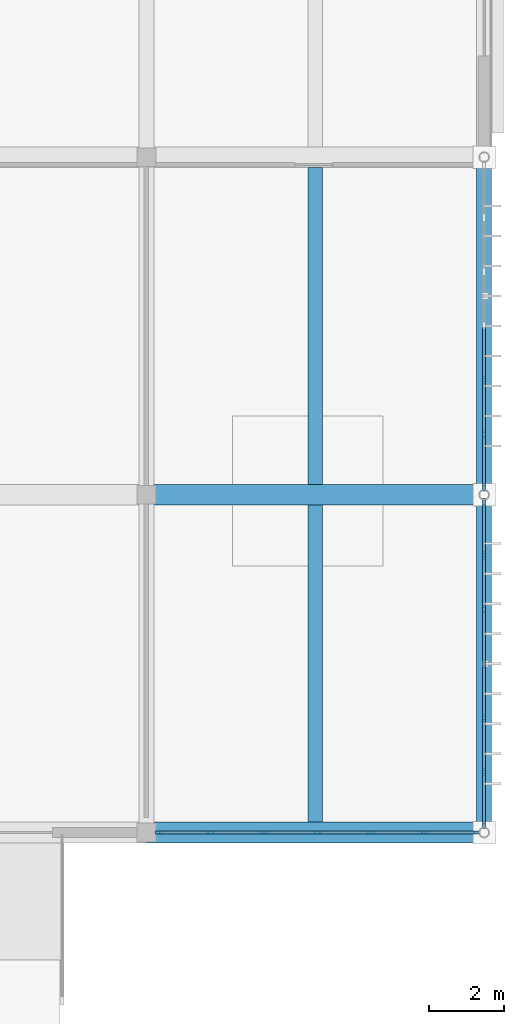
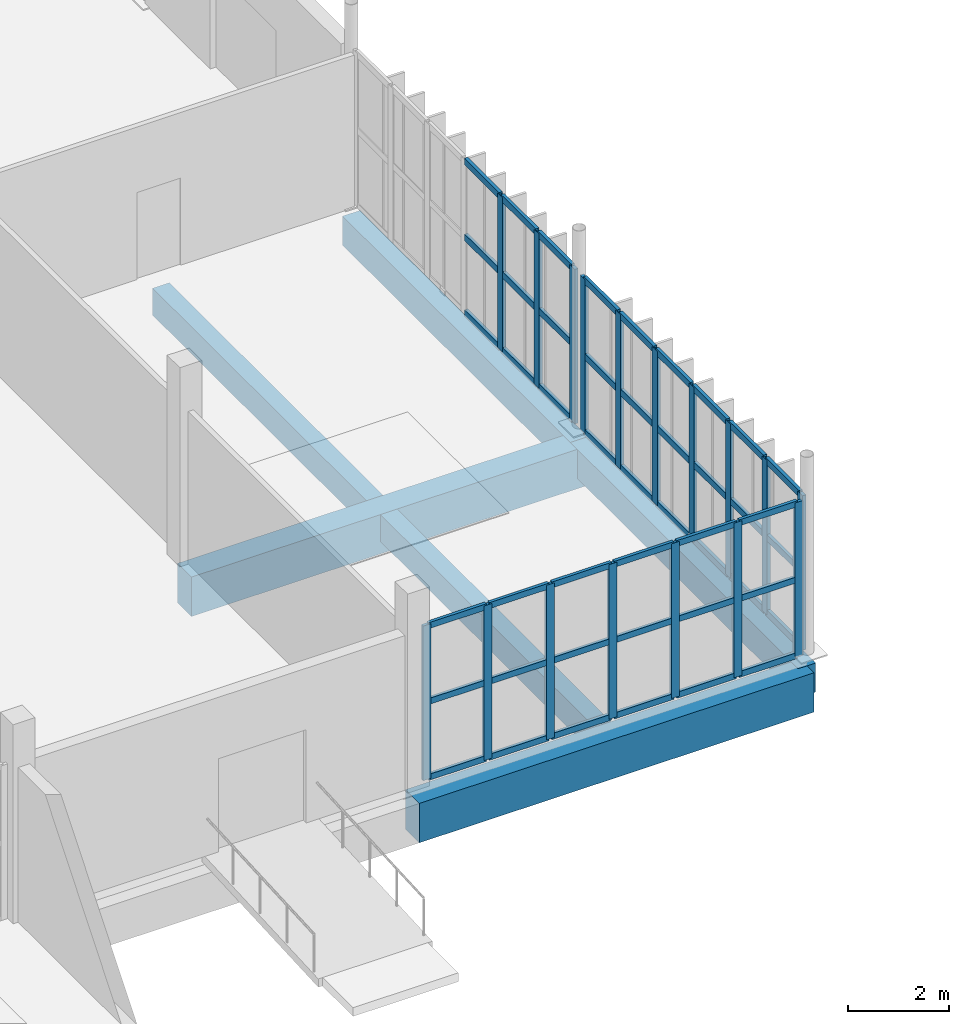
# One storey, part 27 of 72: 62 members, 6 beams, 3 elements without a shape of their own.
"""IFC4 building model written with IfcOpenShell, lengths in metres."""

from ifc_helpers import new_model, si_unit, direction, frame, origin, origin_2d, place, context, subcontext, project, spatial, rectangle, extrude, material, material_profile, profile_set, type_object, element, aggregate, save


model = new_model("IFC4")

# Units and contexts
model_context = context("Model", 3, precision=1e-05, world=origin(), true_north=direction((0.0, 1.0)))
body_context = subcontext(model_context, "Body", "Model", "MODEL_VIEW")
ifc_project = project(units=[si_unit("LENGTHUNIT", "METRE"), si_unit("AREAUNIT", "SQUARE_METRE"), si_unit("VOLUMEUNIT", "CUBIC_METRE"), si_unit("PLANEANGLEUNIT", "RADIAN"), si_unit("MASSUNIT", "GRAM", prefix="KILO")], contexts=[model_context])

# Site, building, storey
site_placement = place(None, origin())
site = spatial("IfcSite", under=ifc_project, at=site_placement, CompositionType="ELEMENT")
building_placement = place(site_placement, origin())
building = spatial("IfcBuilding", under=site, at=building_placement, Name="Vourika Railside Aquatics Centre", CompositionType="ELEMENT")
storey_placement = place(building_placement, origin())
storey = spatial("IfcBuildingStorey", under=building, at=storey_placement, Name="L00", CompositionType="ELEMENT", Elevation=0.0)

# Beams
ifc_material_1 = material(Name="Concrete C35/45", Category="concrete")
ifc_material_profile_1 = material_profile(ifc_material_1, rectangle(XDim=0.39990234375, YDim=0.699951171875, at=origin_2d()), Name="RC 400x700")
ifc_profile_set_1 = profile_set([ifc_material_profile_1], Name="Concrete C35/45")
beam_type_1 = type_object("IfcBeamType", Name="BM-GIRD-400x700", PredefinedType="BEAM", material=ifc_profile_set_1)
for number, where, z_axis, x_axis, name in (
    (1, (168.0, 40.0, -0.669921875), (0.0, 1.0, 0.0), (-1.0, 0.0, 0.0), "Floor Girder GY-L00-344"),
    (2, (168.0, 49.0, -0.669921875), (0.0, 1.0, 0.0), (-1.0, 0.0, 0.0), "Floor Girder GY-L00-345"),
):
    element("IfcBeam", number, at=place(storey_placement, frame(where, z_axis=z_axis, x_axis=x_axis)), inside=storey, type_object=beam_type_1, Name=name, PredefinedType="BEAM", context=body_context, shape_type="SweptSolid", body=[
        extrude(rectangle(XDim=0.39990234375, YDim=0.699951171875, at=origin_2d()), origin(), (0.0, 0.0, 1.0), 9.0),
    ])
ifc_material_2 = material(Name="Concrete C40/50", Category="concrete")
ifc_material_profile_2 = material_profile(ifc_material_2, rectangle(XDim=0.550048828125, YDim=0.949951171875, at=origin_2d()), Name="RC 550x950")
ifc_profile_set_2 = profile_set([ifc_material_profile_2], Name="Concrete C40/50")
beam_type_2 = type_object("IfcBeamType", Name="BM-GIRD-550x950", PredefinedType="BEAM", material=ifc_profile_set_2)
for number, where, z_axis, x_axis, name in (
    (3, (159.0, 40.0, -0.794921875), (1.0, 0.0, 0.0), (0.0, 1.0, 0.0), "Floor Beam GX-L00-056"),
    (4, (159.0, 49.0, -0.794921875), (1.0, 0.0, 0.0), (0.0, 1.0, 0.0), "Floor Beam GX-L00-073"),
):
    element("IfcBeam", number, at=place(storey_placement, frame(where, z_axis=z_axis, x_axis=x_axis)), inside=storey, type_object=beam_type_2, Name=name, PredefinedType="BEAM", context=body_context, shape_type="SweptSolid", body=[
        extrude(rectangle(XDim=0.550048828125, YDim=0.949951171875, at=origin_2d()), origin(), (0.0, 0.0, 1.0), 9.0),
    ])
ifc_material_profile_3 = material_profile(ifc_material_1, rectangle(XDim=0.3798828125, YDim=0.64990234375, at=origin_2d()), Name="RC 380x650")
ifc_profile_set_3 = profile_set([ifc_material_profile_3], Name="Concrete C35/45")
beam_type_3 = type_object("IfcBeamType", Name="BM-SEC-380x650", PredefinedType="JOIST", material=ifc_profile_set_3)
for number, where, z_axis, x_axis, name in (
    (5, (163.5, 40.27490234375, -0.64501953125), (0.0, 1.0, 0.0), (-1.0, 0.0, 0.0), "Secondary Joist JY-L00-383"),
    (6, (163.5, 49.27490234375, -0.64501953125), (0.0, 1.0, 0.0), (-1.0, 0.0, 0.0), "Secondary Joist JY-L00-399"),
):
    element("IfcBeam", number, at=place(storey_placement, frame(where, z_axis=z_axis, x_axis=x_axis)), inside=storey, type_object=beam_type_3, Name=name, PredefinedType="JOIST", context=body_context, shape_type="SweptSolid", body=[
        extrude(rectangle(XDim=0.3798828125, YDim=0.64990234375, at=origin_2d()), origin(), (0.0, 0.0, 1.0), 8.4501953125),
    ])

# Curtain wall, members
ifc_material_3 = material(Name="Anodized thermally broken aluminium", Category="aluminium")
curtain_wall_type_1 = type_object("IfcCurtainWallType", Name="CW-FOYE", PredefinedType="NOTDEFINED", material=ifc_material_3)
curtain_wall_1_placement = place(storey_placement, origin())
curtain_wall_1 = element("IfcCurtainWall", 7, at=curtain_wall_1_placement, inside=storey, type_object=curtain_wall_type_1, Name="East Arrival Facade Curtain Wall L00-1", PredefinedType="NOTDEFINED")
ifc_material_4 = material(Name="Anodized aluminium mullion", Category="aluminium")
ifc_material_profile_4 = material_profile(ifc_material_4, rectangle(XDim=0.074951171875, YDim=0.199951171875, at=origin_2d()), Name="ALU-M 75x200")
ifc_profile_set_4 = profile_set([ifc_material_profile_4], Name="Anodized aluminium mullion")
member_type_1 = type_object("IfcMemberType", Name="CWM-FOYE", PredefinedType="MULLION", material=ifc_profile_set_4)
member_1_placement = place(storey_placement, frame((168.0, 40.2041015625, 0.0), z_axis=(0.0, 0.0, 1.0), x_axis=(-1.0, 0.0, 0.0)))
member_1 = element("IfcMember", 8, at=member_1_placement, type_object=member_type_1, Name="CW10 mullion 1", PredefinedType="MULLION", context=body_context, shape_type="SweptSolid", body=[
    extrude(rectangle(XDim=0.074951171875, YDim=0.199951171875, at=origin_2d()), origin(), (0.0, 0.0, 1.0), 3.72998046875),
])
member_2_placement = place(storey_placement, frame((168.0, 41.611083984375, 0.0), z_axis=(0.0, 0.0, 1.0), x_axis=(-1.0, 0.0, 0.0)))
member_2 = element("IfcMember", 9, at=member_2_placement, type_object=member_type_1, Name="CW10 mullion 2", PredefinedType="MULLION", context=body_context, shape_type="SweptSolid", body=[
    extrude(rectangle(XDim=0.074951171875, YDim=0.199951171875, at=origin_2d()), origin(), (0.0, 0.0, 1.0), 3.72998046875),
])
member_3_placement = place(storey_placement, frame((168.0, 43.055419921875, 0.0), z_axis=(0.0, 0.0, 1.0), x_axis=(-1.0, 0.0, 0.0)))
member_3 = element("IfcMember", 10, at=member_3_placement, type_object=member_type_1, Name="CW10 mullion 3", PredefinedType="MULLION", context=body_context, shape_type="SweptSolid", body=[
    extrude(rectangle(XDim=0.074951171875, YDim=0.199951171875, at=origin_2d()), origin(), (0.0, 0.0, 1.0), 3.72998046875),
])
member_4_placement = place(storey_placement, frame((168.0, 44.5, 0.0), z_axis=(0.0, 0.0, 1.0), x_axis=(-1.0, 0.0, 0.0)))
member_4 = element("IfcMember", 11, at=member_4_placement, type_object=member_type_1, Name="CW10 mullion 4", PredefinedType="MULLION", context=body_context, shape_type="SweptSolid", body=[
    extrude(rectangle(XDim=0.074951171875, YDim=0.199951171875, at=origin_2d()), origin(), (0.0, 0.0, 1.0), 3.72998046875),
])
member_5_placement = place(storey_placement, frame((168.0, 45.944580078125, 0.0), z_axis=(0.0, 0.0, 1.0), x_axis=(-1.0, 0.0, 0.0)))
member_5 = element("IfcMember", 12, at=member_5_placement, type_object=member_type_1, Name="CW10 mullion 5", PredefinedType="MULLION", context=body_context, shape_type="SweptSolid", body=[
    extrude(rectangle(XDim=0.074951171875, YDim=0.199951171875, at=origin_2d()), origin(), (0.0, 0.0, 1.0), 3.72998046875),
])
member_6_placement = place(storey_placement, frame((168.0, 47.388916015625, 0.0), z_axis=(0.0, 0.0, 1.0), x_axis=(-1.0, 0.0, 0.0)))
member_6 = element("IfcMember", 13, at=member_6_placement, type_object=member_type_1, Name="CW10 mullion 6", PredefinedType="MULLION", context=body_context, shape_type="SweptSolid", body=[
    extrude(rectangle(XDim=0.074951171875, YDim=0.199951171875, at=origin_2d()), origin(), (0.0, 0.0, 1.0), 3.72998046875),
])
member_7_placement = place(storey_placement, frame((168.0, 48.7958984375, 0.0), z_axis=(0.0, 0.0, 1.0), x_axis=(-1.0, 0.0, 0.0)))
member_7 = element("IfcMember", 14, at=member_7_placement, type_object=member_type_1, Name="CW10 mullion 7", PredefinedType="MULLION", context=body_context, shape_type="SweptSolid", body=[
    extrude(rectangle(XDim=0.074951171875, YDim=0.199951171875, at=origin_2d()), origin(), (0.0, 0.0, 1.0), 3.72998046875),
])

curtain_wall_2_placement = place(storey_placement, origin())
curtain_wall_2 = element("IfcCurtainWall", 15, at=curtain_wall_2_placement, inside=storey, type_object=curtain_wall_type_1, Name="East Arrival Facade Curtain Wall L00-2", PredefinedType="NOTDEFINED")
member_8_placement = place(storey_placement, frame((168.0, 49.2041015625, 0.0), z_axis=(0.0, 0.0, 1.0), x_axis=(-1.0, 0.0, 0.0)))
member_8 = element("IfcMember", 16, at=member_8_placement, type_object=member_type_1, Name="CW10 mullion 1", PredefinedType="MULLION", context=body_context, shape_type="SweptSolid", body=[
    extrude(rectangle(XDim=0.074951171875, YDim=0.199951171875, at=origin_2d()), origin(), (0.0, 0.0, 1.0), 3.72998046875),
])
member_9_placement = place(storey_placement, frame((168.0, 50.611083984375, 0.0), z_axis=(0.0, 0.0, 1.0), x_axis=(-1.0, 0.0, 0.0)))
member_9 = element("IfcMember", 17, at=member_9_placement, type_object=member_type_1, Name="CW10 mullion 2", PredefinedType="MULLION", context=body_context, shape_type="SweptSolid", body=[
    extrude(rectangle(XDim=0.074951171875, YDim=0.199951171875, at=origin_2d()), origin(), (0.0, 0.0, 1.0), 3.72998046875),
])
member_10_placement = place(storey_placement, frame((168.0, 52.055419921875, 0.0), z_axis=(0.0, 0.0, 1.0), x_axis=(-1.0, 0.0, 0.0)))
member_10 = element("IfcMember", 18, at=member_10_placement, type_object=member_type_1, Name="CW10 mullion 3", PredefinedType="MULLION", context=body_context, shape_type="SweptSolid", body=[
    extrude(rectangle(XDim=0.074951171875, YDim=0.199951171875, at=origin_2d()), origin(), (0.0, 0.0, 1.0), 3.72998046875),
])

curtain_wall_type_2 = type_object("IfcCurtainWallType", Name="CW-FOYS", PredefinedType="NOTDEFINED", material=ifc_material_3)
curtain_wall_3_placement = place(storey_placement, origin())
curtain_wall_3 = element("IfcCurtainWall", 19, at=curtain_wall_3_placement, inside=storey, type_object=curtain_wall_type_2, Name="Foyer South Glazed Facade L00-3", PredefinedType="NOTDEFINED")
ifc_material_profile_5 = material_profile(ifc_material_4, rectangle(XDim=0.072021484375, YDim=0.181884765625, at=origin_2d()), Name="ALU-M 72x182")
ifc_profile_set_5 = profile_set([ifc_material_profile_5], Name="Anodized aluminium mullion")
member_type_2 = type_object("IfcMemberType", Name="CWM-FOYS", PredefinedType="MULLION", material=ifc_profile_set_5)
member_11_placement = place(storey_placement, frame((159.31591796875, 40.0, 0.0), z_axis=(0.0, 0.0, 1.0), x_axis=(0.0, 1.0, 0.0)))
member_11 = element("IfcMember", 20, at=member_11_placement, type_object=member_type_2, Name="CW11 mullion 1", PredefinedType="MULLION", context=body_context, shape_type="SweptSolid", body=[
    extrude(rectangle(XDim=0.072021484375, YDim=0.181884765625, at=origin_2d()), origin(), (0.0, 0.0, 1.0), 3.72998046875),
])
member_12_placement = place(storey_placement, frame((160.70556640625, 40.0, 0.0), z_axis=(0.0, 0.0, 1.0), x_axis=(0.0, 1.0, 0.0)))
member_12 = element("IfcMember", 21, at=member_12_placement, type_object=member_type_2, Name="CW11 mullion 2", PredefinedType="MULLION", context=body_context, shape_type="SweptSolid", body=[
    extrude(rectangle(XDim=0.072021484375, YDim=0.181884765625, at=origin_2d()), origin(), (0.0, 0.0, 1.0), 3.72998046875),
])
member_13_placement = place(storey_placement, frame((162.131103515625, 40.0, 0.0), z_axis=(0.0, 0.0, 1.0), x_axis=(0.0, 1.0, 0.0)))
member_13 = element("IfcMember", 22, at=member_13_placement, type_object=member_type_2, Name="CW11 mullion 3", PredefinedType="MULLION", context=body_context, shape_type="SweptSolid", body=[
    extrude(rectangle(XDim=0.072021484375, YDim=0.181884765625, at=origin_2d()), origin(), (0.0, 0.0, 1.0), 3.72998046875),
])
member_14_placement = place(storey_placement, frame((163.556640625, 40.0, 0.0), z_axis=(0.0, 0.0, 1.0), x_axis=(0.0, 1.0, 0.0)))
member_14 = element("IfcMember", 23, at=member_14_placement, type_object=member_type_2, Name="CW11 mullion 4", PredefinedType="MULLION", context=body_context, shape_type="SweptSolid", body=[
    extrude(rectangle(XDim=0.072021484375, YDim=0.181884765625, at=origin_2d()), origin(), (0.0, 0.0, 1.0), 3.72998046875),
])
member_15_placement = place(storey_placement, frame((164.982421875, 40.0, 0.0), z_axis=(0.0, 0.0, 1.0), x_axis=(0.0, 1.0, 0.0)))
member_15 = element("IfcMember", 24, at=member_15_placement, type_object=member_type_2, Name="CW11 mullion 5", PredefinedType="MULLION", context=body_context, shape_type="SweptSolid", body=[
    extrude(rectangle(XDim=0.072021484375, YDim=0.181884765625, at=origin_2d()), origin(), (0.0, 0.0, 1.0), 3.72998046875),
])
member_16_placement = place(storey_placement, frame((166.407958984375, 40.0, 0.0), z_axis=(0.0, 0.0, 1.0), x_axis=(0.0, 1.0, 0.0)))
member_16 = element("IfcMember", 25, at=member_16_placement, type_object=member_type_2, Name="CW11 mullion 6", PredefinedType="MULLION", context=body_context, shape_type="SweptSolid", body=[
    extrude(rectangle(XDim=0.072021484375, YDim=0.181884765625, at=origin_2d()), origin(), (0.0, 0.0, 1.0), 3.72998046875),
])
member_17_placement = place(storey_placement, frame((167.797607421875, 40.0, 0.0), z_axis=(0.0, 0.0, 1.0), x_axis=(0.0, 1.0, 0.0)))
member_17 = element("IfcMember", 26, at=member_17_placement, type_object=member_type_2, Name="CW11 mullion 7", PredefinedType="MULLION", context=body_context, shape_type="SweptSolid", body=[
    extrude(rectangle(XDim=0.072021484375, YDim=0.181884765625, at=origin_2d()), origin(), (0.0, 0.0, 1.0), 3.72998046875),
])

# Member
ifc_material_5 = material(Name="Anodized aluminium transom", Category="aluminium")
ifc_material_profile_6 = material_profile(ifc_material_5, rectangle(XDim=0.074951171875, YDim=0.157958984375, at=origin_2d()), Name="ALU-T 75x158")
ifc_profile_set_6 = profile_set([ifc_material_profile_6], Name="Anodized aluminium transom")
member_type_3 = type_object("IfcMemberType", Name="CWT-FOYE", PredefinedType="USERDEFINED", material=ifc_profile_set_6)
member_18_placement = place(storey_placement, frame((168.0, 40.241455078125, 0.03759765625), z_axis=(0.0, 1.0, 0.0), x_axis=(-1.0, 0.0, 0.0)))
member_18 = element("IfcMember", 27, at=member_18_placement, type_object=member_type_3, Name="CW10 transom 1.1", ObjectType="TRANSOM", PredefinedType="USERDEFINED", context=body_context, shape_type="SweptSolid", body=[
    extrude(rectangle(XDim=0.074951171875, YDim=0.157958984375, at=origin_2d()), origin(), (0.0, 0.0, 1.0), 1.33203125),
])

member_19_placement = place(storey_placement, frame((168.0, 40.241455078125, 1.864990234375), z_axis=(0.0, 1.0, 0.0), x_axis=(-1.0, 0.0, 0.0)))
member_19 = element("IfcMember", 28, at=member_19_placement, type_object=member_type_3, Name="CW10 transom 1.2", ObjectType="TRANSOM", PredefinedType="USERDEFINED", context=body_context, shape_type="SweptSolid", body=[
    extrude(rectangle(XDim=0.074951171875, YDim=0.157958984375, at=origin_2d()), origin(), (0.0, 0.0, 1.0), 1.33203125),
])

member_20_placement = place(storey_placement, frame((168.0, 40.241455078125, 3.6923828125), z_axis=(0.0, 1.0, 0.0), x_axis=(-1.0, 0.0, 0.0)))
member_20 = element("IfcMember", 29, at=member_20_placement, type_object=member_type_3, Name="CW10 transom 1.3", ObjectType="TRANSOM", PredefinedType="USERDEFINED", context=body_context, shape_type="SweptSolid", body=[
    extrude(rectangle(XDim=0.074951171875, YDim=0.157958984375, at=origin_2d()), origin(), (0.0, 0.0, 1.0), 1.33203125),
])

member_21_placement = place(storey_placement, frame((168.0, 41.6484375, 0.03759765625), z_axis=(0.0, 1.0, 0.0), x_axis=(-1.0, 0.0, 0.0)))
member_21 = element("IfcMember", 30, at=member_21_placement, type_object=member_type_3, Name="CW10 transom 2.1", ObjectType="TRANSOM", PredefinedType="USERDEFINED", context=body_context, shape_type="SweptSolid", body=[
    extrude(rectangle(XDim=0.074951171875, YDim=0.157958984375, at=origin_2d()), origin(), (0.0, 0.0, 1.0), 1.36962890625),
])

member_22_placement = place(storey_placement, frame((168.0, 41.6484375, 1.864990234375), z_axis=(0.0, 1.0, 0.0), x_axis=(-1.0, 0.0, 0.0)))
member_22 = element("IfcMember", 31, at=member_22_placement, type_object=member_type_3, Name="CW10 transom 2.2", ObjectType="TRANSOM", PredefinedType="USERDEFINED", context=body_context, shape_type="SweptSolid", body=[
    extrude(rectangle(XDim=0.074951171875, YDim=0.157958984375, at=origin_2d()), origin(), (0.0, 0.0, 1.0), 1.36962890625),
])

member_23_placement = place(storey_placement, frame((168.0, 41.6484375, 3.6923828125), z_axis=(0.0, 1.0, 0.0), x_axis=(-1.0, 0.0, 0.0)))
member_23 = element("IfcMember", 32, at=member_23_placement, type_object=member_type_3, Name="CW10 transom 2.3", ObjectType="TRANSOM", PredefinedType="USERDEFINED", context=body_context, shape_type="SweptSolid", body=[
    extrude(rectangle(XDim=0.074951171875, YDim=0.157958984375, at=origin_2d()), origin(), (0.0, 0.0, 1.0), 1.36962890625),
])

member_24_placement = place(storey_placement, frame((168.0, 43.093017578125, 0.03759765625), z_axis=(0.0, 1.0, 0.0), x_axis=(-1.0, 0.0, 0.0)))
member_24 = element("IfcMember", 33, at=member_24_placement, type_object=member_type_3, Name="CW10 transom 3.1", ObjectType="TRANSOM", PredefinedType="USERDEFINED", context=body_context, shape_type="SweptSolid", body=[
    extrude(rectangle(XDim=0.074951171875, YDim=0.157958984375, at=origin_2d()), origin(), (0.0, 0.0, 1.0), 1.369384765625),
])

member_25_placement = place(storey_placement, frame((168.0, 43.093017578125, 1.864990234375), z_axis=(0.0, 1.0, 0.0), x_axis=(-1.0, 0.0, 0.0)))
member_25 = element("IfcMember", 34, at=member_25_placement, type_object=member_type_3, Name="CW10 transom 3.2", ObjectType="TRANSOM", PredefinedType="USERDEFINED", context=body_context, shape_type="SweptSolid", body=[
    extrude(rectangle(XDim=0.074951171875, YDim=0.157958984375, at=origin_2d()), origin(), (0.0, 0.0, 1.0), 1.369384765625),
])

member_26_placement = place(storey_placement, frame((168.0, 43.093017578125, 3.6923828125), z_axis=(0.0, 1.0, 0.0), x_axis=(-1.0, 0.0, 0.0)))
member_26 = element("IfcMember", 35, at=member_26_placement, type_object=member_type_3, Name="CW10 transom 3.3", ObjectType="TRANSOM", PredefinedType="USERDEFINED", context=body_context, shape_type="SweptSolid", body=[
    extrude(rectangle(XDim=0.074951171875, YDim=0.157958984375, at=origin_2d()), origin(), (0.0, 0.0, 1.0), 1.369384765625),
])

member_27_placement = place(storey_placement, frame((168.0, 44.53759765625, 0.03759765625), z_axis=(0.0, 1.0, 0.0), x_axis=(-1.0, 0.0, 0.0)))
member_27 = element("IfcMember", 36, at=member_27_placement, type_object=member_type_3, Name="CW10 transom 4.1", ObjectType="TRANSOM", PredefinedType="USERDEFINED", context=body_context, shape_type="SweptSolid", body=[
    extrude(rectangle(XDim=0.074951171875, YDim=0.157958984375, at=origin_2d()), origin(), (0.0, 0.0, 1.0), 1.369384765625),
])

member_28_placement = place(storey_placement, frame((168.0, 44.53759765625, 1.864990234375), z_axis=(0.0, 1.0, 0.0), x_axis=(-1.0, 0.0, 0.0)))
member_28 = element("IfcMember", 37, at=member_28_placement, type_object=member_type_3, Name="CW10 transom 4.2", ObjectType="TRANSOM", PredefinedType="USERDEFINED", context=body_context, shape_type="SweptSolid", body=[
    extrude(rectangle(XDim=0.074951171875, YDim=0.157958984375, at=origin_2d()), origin(), (0.0, 0.0, 1.0), 1.369384765625),
])

member_29_placement = place(storey_placement, frame((168.0, 44.53759765625, 3.6923828125), z_axis=(0.0, 1.0, 0.0), x_axis=(-1.0, 0.0, 0.0)))
member_29 = element("IfcMember", 38, at=member_29_placement, type_object=member_type_3, Name="CW10 transom 4.3", ObjectType="TRANSOM", PredefinedType="USERDEFINED", context=body_context, shape_type="SweptSolid", body=[
    extrude(rectangle(XDim=0.074951171875, YDim=0.157958984375, at=origin_2d()), origin(), (0.0, 0.0, 1.0), 1.369384765625),
])

member_30_placement = place(storey_placement, frame((168.0, 45.98193359375, 0.03759765625), z_axis=(0.0, 1.0, 0.0), x_axis=(-1.0, 0.0, 0.0)))
member_30 = element("IfcMember", 39, at=member_30_placement, type_object=member_type_3, Name="CW10 transom 5.1", ObjectType="TRANSOM", PredefinedType="USERDEFINED", context=body_context, shape_type="SweptSolid", body=[
    extrude(rectangle(XDim=0.074951171875, YDim=0.157958984375, at=origin_2d()), origin(), (0.0, 0.0, 1.0), 1.36962890625),
])

member_31_placement = place(storey_placement, frame((168.0, 45.98193359375, 1.864990234375), z_axis=(0.0, 1.0, 0.0), x_axis=(-1.0, 0.0, 0.0)))
member_31 = element("IfcMember", 40, at=member_31_placement, type_object=member_type_3, Name="CW10 transom 5.2", ObjectType="TRANSOM", PredefinedType="USERDEFINED", context=body_context, shape_type="SweptSolid", body=[
    extrude(rectangle(XDim=0.074951171875, YDim=0.157958984375, at=origin_2d()), origin(), (0.0, 0.0, 1.0), 1.36962890625),
])

member_32_placement = place(storey_placement, frame((168.0, 45.98193359375, 3.6923828125), z_axis=(0.0, 1.0, 0.0), x_axis=(-1.0, 0.0, 0.0)))
member_32 = element("IfcMember", 41, at=member_32_placement, type_object=member_type_3, Name="CW10 transom 5.3", ObjectType="TRANSOM", PredefinedType="USERDEFINED", context=body_context, shape_type="SweptSolid", body=[
    extrude(rectangle(XDim=0.074951171875, YDim=0.157958984375, at=origin_2d()), origin(), (0.0, 0.0, 1.0), 1.36962890625),
])

member_33_placement = place(storey_placement, frame((168.0, 47.426513671875, 0.03759765625), z_axis=(0.0, 1.0, 0.0), x_axis=(-1.0, 0.0, 0.0)))
member_33 = element("IfcMember", 42, at=member_33_placement, type_object=member_type_3, Name="CW10 transom 6.1", ObjectType="TRANSOM", PredefinedType="USERDEFINED", context=body_context, shape_type="SweptSolid", body=[
    extrude(rectangle(XDim=0.074951171875, YDim=0.157958984375, at=origin_2d()), origin(), (0.0, 0.0, 1.0), 1.33203125),
])

member_34_placement = place(storey_placement, frame((168.0, 47.426513671875, 1.864990234375), z_axis=(0.0, 1.0, 0.0), x_axis=(-1.0, 0.0, 0.0)))
member_34 = element("IfcMember", 43, at=member_34_placement, type_object=member_type_3, Name="CW10 transom 6.2", ObjectType="TRANSOM", PredefinedType="USERDEFINED", context=body_context, shape_type="SweptSolid", body=[
    extrude(rectangle(XDim=0.074951171875, YDim=0.157958984375, at=origin_2d()), origin(), (0.0, 0.0, 1.0), 1.33203125),
])

member_35_placement = place(storey_placement, frame((168.0, 47.426513671875, 3.6923828125), z_axis=(0.0, 1.0, 0.0), x_axis=(-1.0, 0.0, 0.0)))
member_35 = element("IfcMember", 44, at=member_35_placement, type_object=member_type_3, Name="CW10 transom 6.3", ObjectType="TRANSOM", PredefinedType="USERDEFINED", context=body_context, shape_type="SweptSolid", body=[
    extrude(rectangle(XDim=0.074951171875, YDim=0.157958984375, at=origin_2d()), origin(), (0.0, 0.0, 1.0), 1.33203125),
])

aggregate(curtain_wall_1, [member_1, member_2, member_3, member_4, member_5, member_6, member_7, member_18, member_19, member_20, member_21, member_22, member_23, member_24, member_25, member_26, member_27, member_28, member_29, member_30, member_31, member_32, member_33, member_34, member_35])

member_36_placement = place(storey_placement, frame((168.0, 49.241455078125, 0.03759765625), z_axis=(0.0, 1.0, 0.0), x_axis=(-1.0, 0.0, 0.0)))
member_36 = element("IfcMember", 45, at=member_36_placement, type_object=member_type_3, Name="CW10 transom 1.1", ObjectType="TRANSOM", PredefinedType="USERDEFINED", context=body_context, shape_type="SweptSolid", body=[
    extrude(rectangle(XDim=0.074951171875, YDim=0.157958984375, at=origin_2d()), origin(), (0.0, 0.0, 1.0), 1.33203125),
])

member_37_placement = place(storey_placement, frame((168.0, 49.241455078125, 1.864990234375), z_axis=(0.0, 1.0, 0.0), x_axis=(-1.0, 0.0, 0.0)))
member_37 = element("IfcMember", 46, at=member_37_placement, type_object=member_type_3, Name="CW10 transom 1.2", ObjectType="TRANSOM", PredefinedType="USERDEFINED", context=body_context, shape_type="SweptSolid", body=[
    extrude(rectangle(XDim=0.074951171875, YDim=0.157958984375, at=origin_2d()), origin(), (0.0, 0.0, 1.0), 1.33203125),
])

member_38_placement = place(storey_placement, frame((168.0, 49.241455078125, 3.6923828125), z_axis=(0.0, 1.0, 0.0), x_axis=(-1.0, 0.0, 0.0)))
member_38 = element("IfcMember", 47, at=member_38_placement, type_object=member_type_3, Name="CW10 transom 1.3", ObjectType="TRANSOM", PredefinedType="USERDEFINED", context=body_context, shape_type="SweptSolid", body=[
    extrude(rectangle(XDim=0.074951171875, YDim=0.157958984375, at=origin_2d()), origin(), (0.0, 0.0, 1.0), 1.33203125),
])

member_39_placement = place(storey_placement, frame((168.0, 50.6484375, 0.03759765625), z_axis=(0.0, 1.0, 0.0), x_axis=(-1.0, 0.0, 0.0)))
member_39 = element("IfcMember", 48, at=member_39_placement, type_object=member_type_3, Name="CW10 transom 2.1", ObjectType="TRANSOM", PredefinedType="USERDEFINED", context=body_context, shape_type="SweptSolid", body=[
    extrude(rectangle(XDim=0.074951171875, YDim=0.157958984375, at=origin_2d()), origin(), (0.0, 0.0, 1.0), 1.36962890625),
])

member_40_placement = place(storey_placement, frame((168.0, 50.6484375, 1.864990234375), z_axis=(0.0, 1.0, 0.0), x_axis=(-1.0, 0.0, 0.0)))
member_40 = element("IfcMember", 49, at=member_40_placement, type_object=member_type_3, Name="CW10 transom 2.2", ObjectType="TRANSOM", PredefinedType="USERDEFINED", context=body_context, shape_type="SweptSolid", body=[
    extrude(rectangle(XDim=0.074951171875, YDim=0.157958984375, at=origin_2d()), origin(), (0.0, 0.0, 1.0), 1.36962890625),
])

member_41_placement = place(storey_placement, frame((168.0, 50.6484375, 3.6923828125), z_axis=(0.0, 1.0, 0.0), x_axis=(-1.0, 0.0, 0.0)))
member_41 = element("IfcMember", 50, at=member_41_placement, type_object=member_type_3, Name="CW10 transom 2.3", ObjectType="TRANSOM", PredefinedType="USERDEFINED", context=body_context, shape_type="SweptSolid", body=[
    extrude(rectangle(XDim=0.074951171875, YDim=0.157958984375, at=origin_2d()), origin(), (0.0, 0.0, 1.0), 1.36962890625),
])

member_42_placement = place(storey_placement, frame((168.0, 52.093017578125, 0.03759765625), z_axis=(0.0, 1.0, 0.0), x_axis=(-1.0, 0.0, 0.0)))
member_42 = element("IfcMember", 51, at=member_42_placement, type_object=member_type_3, Name="CW10 transom 3.1", ObjectType="TRANSOM", PredefinedType="USERDEFINED", context=body_context, shape_type="SweptSolid", body=[
    extrude(rectangle(XDim=0.074951171875, YDim=0.157958984375, at=origin_2d()), origin(), (0.0, 0.0, 1.0), 1.369384765625),
])

member_43_placement = place(storey_placement, frame((168.0, 52.093017578125, 1.864990234375), z_axis=(0.0, 1.0, 0.0), x_axis=(-1.0, 0.0, 0.0)))
member_43 = element("IfcMember", 52, at=member_43_placement, type_object=member_type_3, Name="CW10 transom 3.2", ObjectType="TRANSOM", PredefinedType="USERDEFINED", context=body_context, shape_type="SweptSolid", body=[
    extrude(rectangle(XDim=0.074951171875, YDim=0.157958984375, at=origin_2d()), origin(), (0.0, 0.0, 1.0), 1.369384765625),
])

member_44_placement = place(storey_placement, frame((168.0, 52.093017578125, 3.6923828125), z_axis=(0.0, 1.0, 0.0), x_axis=(-1.0, 0.0, 0.0)))
member_44 = element("IfcMember", 53, at=member_44_placement, type_object=member_type_3, Name="CW10 transom 3.3", ObjectType="TRANSOM", PredefinedType="USERDEFINED", context=body_context, shape_type="SweptSolid", body=[
    extrude(rectangle(XDim=0.074951171875, YDim=0.157958984375, at=origin_2d()), origin(), (0.0, 0.0, 1.0), 1.369384765625),
])

aggregate(curtain_wall_2, [member_8, member_9, member_10, member_36, member_37, member_38, member_39, member_40, member_41, member_42, member_43, member_44])

ifc_material_profile_7 = material_profile(ifc_material_5, rectangle(XDim=0.072021484375, YDim=0.14404296875, at=origin_2d()), Name="ALU-T 72x144")
ifc_profile_set_7 = profile_set([ifc_material_profile_7], Name="Anodized aluminium transom")
member_type_4 = type_object("IfcMemberType", Name="CWT-FOYS", PredefinedType="USERDEFINED", material=ifc_profile_set_7)
member_45_placement = place(storey_placement, frame((159.35205078125, 40.0, 0.035888671875), z_axis=(1.0, 0.0, 0.0), x_axis=(0.0, 1.0, 0.0)))
member_45 = element("IfcMember", 54, at=member_45_placement, type_object=member_type_4, Name="CW11 transom 1.1", ObjectType="TRANSOM", PredefinedType="USERDEFINED", context=body_context, shape_type="SweptSolid", body=[
    extrude(rectangle(XDim=0.072021484375, YDim=0.14404296875, at=origin_2d()), origin(), (0.0, 0.0, 1.0), 1.317626953125),
])

member_46_placement = place(storey_placement, frame((159.35205078125, 40.0, 1.864990234375), z_axis=(1.0, 0.0, 0.0), x_axis=(0.0, 1.0, 0.0)))
member_46 = element("IfcMember", 55, at=member_46_placement, type_object=member_type_4, Name="CW11 transom 1.2", ObjectType="TRANSOM", PredefinedType="USERDEFINED", context=body_context, shape_type="SweptSolid", body=[
    extrude(rectangle(XDim=0.072021484375, YDim=0.14404296875, at=origin_2d()), origin(), (0.0, 0.0, 1.0), 1.317626953125),
])

member_47_placement = place(storey_placement, frame((159.35205078125, 40.0, 3.694091796875), z_axis=(1.0, 0.0, 0.0), x_axis=(0.0, 1.0, 0.0)))
member_47 = element("IfcMember", 56, at=member_47_placement, type_object=member_type_4, Name="CW11 transom 1.3", ObjectType="TRANSOM", PredefinedType="USERDEFINED", context=body_context, shape_type="SweptSolid", body=[
    extrude(rectangle(XDim=0.072021484375, YDim=0.14404296875, at=origin_2d()), origin(), (0.0, 0.0, 1.0), 1.317626953125),
])

member_48_placement = place(storey_placement, frame((160.74169921875, 40.0, 0.035888671875), z_axis=(1.0, 0.0, 0.0), x_axis=(0.0, 1.0, 0.0)))
member_48 = element("IfcMember", 57, at=member_48_placement, type_object=member_type_4, Name="CW11 transom 2.1", ObjectType="TRANSOM", PredefinedType="USERDEFINED", context=body_context, shape_type="SweptSolid", body=[
    extrude(rectangle(XDim=0.072021484375, YDim=0.14404296875, at=origin_2d()), origin(), (0.0, 0.0, 1.0), 1.353515625),
])

member_49_placement = place(storey_placement, frame((160.74169921875, 40.0, 1.864990234375), z_axis=(1.0, 0.0, 0.0), x_axis=(0.0, 1.0, 0.0)))
member_49 = element("IfcMember", 58, at=member_49_placement, type_object=member_type_4, Name="CW11 transom 2.2", ObjectType="TRANSOM", PredefinedType="USERDEFINED", context=body_context, shape_type="SweptSolid", body=[
    extrude(rectangle(XDim=0.072021484375, YDim=0.14404296875, at=origin_2d()), origin(), (0.0, 0.0, 1.0), 1.353515625),
])

member_50_placement = place(storey_placement, frame((160.74169921875, 40.0, 3.694091796875), z_axis=(1.0, 0.0, 0.0), x_axis=(0.0, 1.0, 0.0)))
member_50 = element("IfcMember", 59, at=member_50_placement, type_object=member_type_4, Name="CW11 transom 2.3", ObjectType="TRANSOM", PredefinedType="USERDEFINED", context=body_context, shape_type="SweptSolid", body=[
    extrude(rectangle(XDim=0.072021484375, YDim=0.14404296875, at=origin_2d()), origin(), (0.0, 0.0, 1.0), 1.353515625),
])

member_51_placement = place(storey_placement, frame((162.167236328125, 40.0, 0.035888671875), z_axis=(1.0, 0.0, 0.0), x_axis=(0.0, 1.0, 0.0)))
member_51 = element("IfcMember", 60, at=member_51_placement, type_object=member_type_4, Name="CW11 transom 3.1", ObjectType="TRANSOM", PredefinedType="USERDEFINED", context=body_context, shape_type="SweptSolid", body=[
    extrude(rectangle(XDim=0.072021484375, YDim=0.14404296875, at=origin_2d()), origin(), (0.0, 0.0, 1.0), 1.353515625),
])

member_52_placement = place(storey_placement, frame((162.167236328125, 40.0, 1.864990234375), z_axis=(1.0, 0.0, 0.0), x_axis=(0.0, 1.0, 0.0)))
member_52 = element("IfcMember", 61, at=member_52_placement, type_object=member_type_4, Name="CW11 transom 3.2", ObjectType="TRANSOM", PredefinedType="USERDEFINED", context=body_context, shape_type="SweptSolid", body=[
    extrude(rectangle(XDim=0.072021484375, YDim=0.14404296875, at=origin_2d()), origin(), (0.0, 0.0, 1.0), 1.353515625),
])

member_53_placement = place(storey_placement, frame((162.167236328125, 40.0, 3.694091796875), z_axis=(1.0, 0.0, 0.0), x_axis=(0.0, 1.0, 0.0)))
member_53 = element("IfcMember", 62, at=member_53_placement, type_object=member_type_4, Name="CW11 transom 3.3", ObjectType="TRANSOM", PredefinedType="USERDEFINED", context=body_context, shape_type="SweptSolid", body=[
    extrude(rectangle(XDim=0.072021484375, YDim=0.14404296875, at=origin_2d()), origin(), (0.0, 0.0, 1.0), 1.353515625),
])

member_54_placement = place(storey_placement, frame((163.5927734375, 40.0, 0.035888671875), z_axis=(1.0, 0.0, 0.0), x_axis=(0.0, 1.0, 0.0)))
member_54 = element("IfcMember", 63, at=member_54_placement, type_object=member_type_4, Name="CW11 transom 4.1", ObjectType="TRANSOM", PredefinedType="USERDEFINED", context=body_context, shape_type="SweptSolid", body=[
    extrude(rectangle(XDim=0.072021484375, YDim=0.14404296875, at=origin_2d()), origin(), (0.0, 0.0, 1.0), 1.353515625),
])

member_55_placement = place(storey_placement, frame((163.5927734375, 40.0, 1.864990234375), z_axis=(1.0, 0.0, 0.0), x_axis=(0.0, 1.0, 0.0)))
member_55 = element("IfcMember", 64, at=member_55_placement, type_object=member_type_4, Name="CW11 transom 4.2", ObjectType="TRANSOM", PredefinedType="USERDEFINED", context=body_context, shape_type="SweptSolid", body=[
    extrude(rectangle(XDim=0.072021484375, YDim=0.14404296875, at=origin_2d()), origin(), (0.0, 0.0, 1.0), 1.353515625),
])

member_56_placement = place(storey_placement, frame((163.5927734375, 40.0, 3.694091796875), z_axis=(1.0, 0.0, 0.0), x_axis=(0.0, 1.0, 0.0)))
member_56 = element("IfcMember", 65, at=member_56_placement, type_object=member_type_4, Name="CW11 transom 4.3", ObjectType="TRANSOM", PredefinedType="USERDEFINED", context=body_context, shape_type="SweptSolid", body=[
    extrude(rectangle(XDim=0.072021484375, YDim=0.14404296875, at=origin_2d()), origin(), (0.0, 0.0, 1.0), 1.353515625),
])

member_57_placement = place(storey_placement, frame((165.018310546875, 40.0, 0.035888671875), z_axis=(1.0, 0.0, 0.0), x_axis=(0.0, 1.0, 0.0)))
member_57 = element("IfcMember", 66, at=member_57_placement, type_object=member_type_4, Name="CW11 transom 5.1", ObjectType="TRANSOM", PredefinedType="USERDEFINED", context=body_context, shape_type="SweptSolid", body=[
    extrude(rectangle(XDim=0.072021484375, YDim=0.14404296875, at=origin_2d()), origin(), (0.0, 0.0, 1.0), 1.353515625),
])

member_58_placement = place(storey_placement, frame((165.018310546875, 40.0, 1.864990234375), z_axis=(1.0, 0.0, 0.0), x_axis=(0.0, 1.0, 0.0)))
member_58 = element("IfcMember", 67, at=member_58_placement, type_object=member_type_4, Name="CW11 transom 5.2", ObjectType="TRANSOM", PredefinedType="USERDEFINED", context=body_context, shape_type="SweptSolid", body=[
    extrude(rectangle(XDim=0.072021484375, YDim=0.14404296875, at=origin_2d()), origin(), (0.0, 0.0, 1.0), 1.353515625),
])

member_59_placement = place(storey_placement, frame((165.018310546875, 40.0, 3.694091796875), z_axis=(1.0, 0.0, 0.0), x_axis=(0.0, 1.0, 0.0)))
member_59 = element("IfcMember", 68, at=member_59_placement, type_object=member_type_4, Name="CW11 transom 5.3", ObjectType="TRANSOM", PredefinedType="USERDEFINED", context=body_context, shape_type="SweptSolid", body=[
    extrude(rectangle(XDim=0.072021484375, YDim=0.14404296875, at=origin_2d()), origin(), (0.0, 0.0, 1.0), 1.353515625),
])

member_60_placement = place(storey_placement, frame((166.44384765625, 40.0, 0.035888671875), z_axis=(1.0, 0.0, 0.0), x_axis=(0.0, 1.0, 0.0)))
member_60 = element("IfcMember", 69, at=member_60_placement, type_object=member_type_4, Name="CW11 transom 6.1", ObjectType="TRANSOM", PredefinedType="USERDEFINED", context=body_context, shape_type="SweptSolid", body=[
    extrude(rectangle(XDim=0.072021484375, YDim=0.14404296875, at=origin_2d()), origin(), (0.0, 0.0, 1.0), 1.317626953125),
])

member_61_placement = place(storey_placement, frame((166.44384765625, 40.0, 1.864990234375), z_axis=(1.0, 0.0, 0.0), x_axis=(0.0, 1.0, 0.0)))
member_61 = element("IfcMember", 70, at=member_61_placement, type_object=member_type_4, Name="CW11 transom 6.2", ObjectType="TRANSOM", PredefinedType="USERDEFINED", context=body_context, shape_type="SweptSolid", body=[
    extrude(rectangle(XDim=0.072021484375, YDim=0.14404296875, at=origin_2d()), origin(), (0.0, 0.0, 1.0), 1.317626953125),
])

member_62_placement = place(storey_placement, frame((166.44384765625, 40.0, 3.694091796875), z_axis=(1.0, 0.0, 0.0), x_axis=(0.0, 1.0, 0.0)))
member_62 = element("IfcMember", 71, at=member_62_placement, type_object=member_type_4, Name="CW11 transom 6.3", ObjectType="TRANSOM", PredefinedType="USERDEFINED", context=body_context, shape_type="SweptSolid", body=[
    extrude(rectangle(XDim=0.072021484375, YDim=0.14404296875, at=origin_2d()), origin(), (0.0, 0.0, 1.0), 1.317626953125),
])

aggregate(curtain_wall_3, [member_11, member_12, member_13, member_14, member_15, member_16, member_17, member_45, member_46, member_47, member_48, member_49, member_50, member_51, member_52, member_53, member_54, member_55, member_56, member_57, member_58, member_59, member_60, member_61, member_62])

save(model, "model.ifc")
